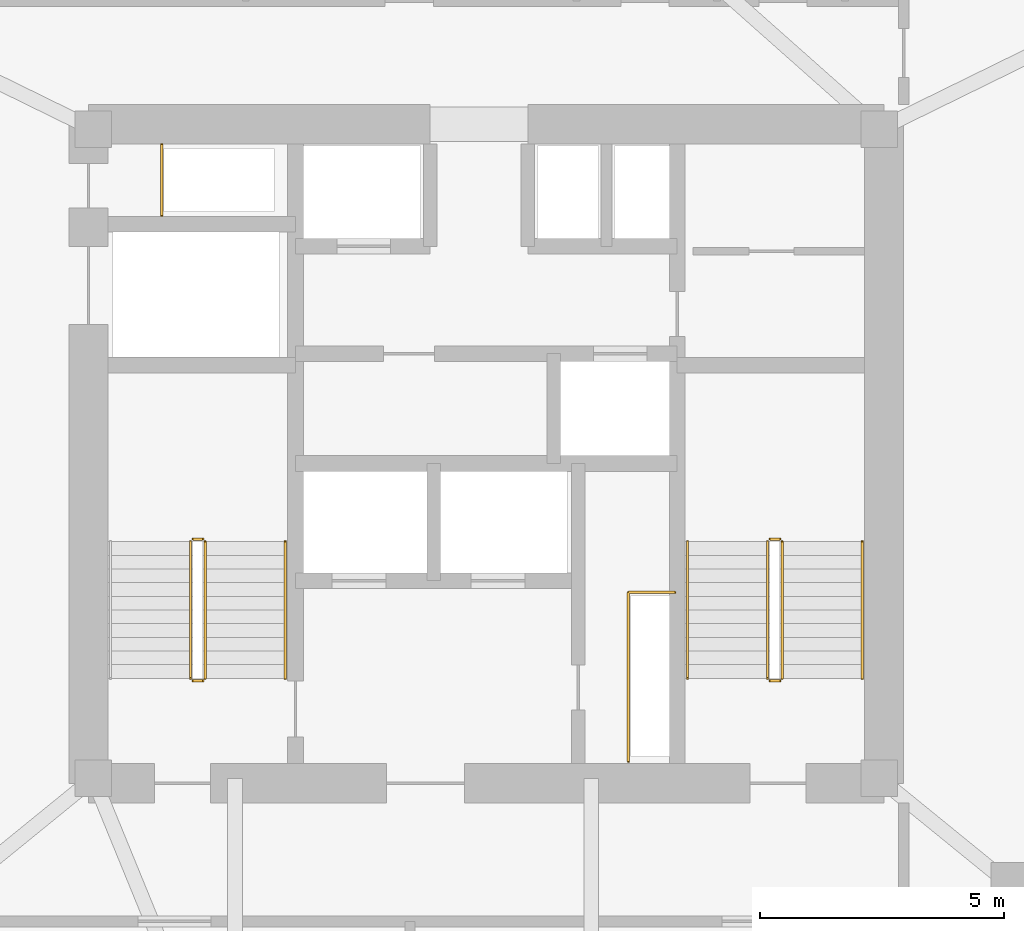
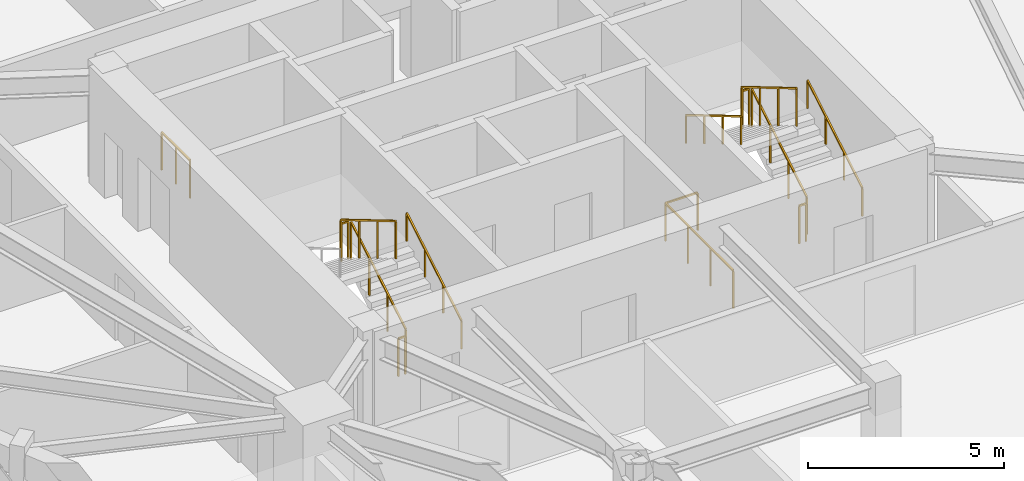
# One storey, part 13 of 13: 13 railings.
"""IFC4 building model written with IfcOpenShell, lengths in metres."""

from ifc_helpers import new_model, si_unit, direction, frame, origin, origin_2d, place, context, subcontext, project, spatial, rectangle, extrude, material, type_object, element, save


model = new_model("IFC4")

# Units and contexts
model_context = context("Model", 3, precision=1e-05, world=origin(), true_north=direction((0.0, 1.0)))
body_context = subcontext(model_context, "Body", "Model", "MODEL_VIEW")
ifc_project = project(units=[si_unit("LENGTHUNIT", "METRE"), si_unit("AREAUNIT", "SQUARE_METRE"), si_unit("VOLUMEUNIT", "CUBIC_METRE"), si_unit("PLANEANGLEUNIT", "RADIAN"), si_unit("MASSUNIT", "GRAM", prefix="KILO")], contexts=[model_context])

# Site, building, storey
site_placement = place(None, origin())
site = spatial("IfcSite", under=ifc_project, at=site_placement, CompositionType="ELEMENT")
building_placement = place(site_placement, origin())
building = spatial("IfcBuilding", under=site, at=building_placement, Name="Talyreon Biosciences Tower", CompositionType="ELEMENT")
storey_placement = place(building_placement, frame((0.0, 0.0, 145.449951171875)))
storey = spatial("IfcBuildingStorey", under=building, at=storey_placement, Name="L38", CompositionType="ELEMENT", Elevation=145.449951171875)

# Railings
ifc_material_1 = material(Name="Brushed stainless-steel tubular handrail", Category="steel")
railing_type_1 = type_object("IfcRailingType", Name="StairWallHandrail_900", PredefinedType="HANDRAIL", material=ifc_material_1)
for number, where, name in (
    (1, (61.8798828125, 63.39990234375, 0.166015625), "L38 ST-1 stair handrail 1"),
    (2, (73.699951171875, 63.39990234375, 0.166015625), "L38 ST-2 stair handrail 1"),
):
    element("IfcRailing", number, at=place(storey_placement, frame(where)), inside=storey, type_object=railing_type_1, Name=name, PredefinedType="HANDRAIL", context=body_context, shape_type="SweptSolid", body=[
        extrude(rectangle(XDim=0.048095703125, YDim=0.048095703125, at=origin_2d()), frame((0.0, 0.0, 0.8759765625), z_axis=(0.0, 0.860339051648, 0.50972219513), x_axis=(-1.0, 0.0, 0.0)), (0.0, 0.0, 1.0), 3.254638671875),
        extrude(rectangle(XDim=0.0419921875, YDim=0.0419921875, at=origin_2d()), origin(), (0.0, 0.0, 1.0), 0.851806640625),
        extrude(rectangle(XDim=0.0419921875, YDim=0.0419921875, at=origin_2d()), frame((0.0, 0.933349609375, 0.552978515625)), (0.0, 0.0, 1.0), 0.851806640625),
        extrude(rectangle(XDim=0.0419921875, YDim=0.0419921875, at=origin_2d()), frame((0.0, 1.86669921875, 1.10595703125)), (0.0, 0.0, 1.0), 0.851806640625),
        extrude(rectangle(XDim=0.0419921875, YDim=0.0419921875, at=origin_2d()), frame((0.0, 2.800048828125, 1.658935546875)), (0.0, 0.0, 1.0), 0.851806640625),
    ])
railing_1_placement = place(storey_placement, frame((70.1201171875, 66.199951171875, 1.990966796875)))
element("IfcRailing", 3, at=railing_1_placement, inside=storey, type_object=railing_type_1, Name="L38 ST-2 stair handrail 2", PredefinedType="HANDRAIL", context=body_context, shape_type="SweptSolid", body=[
    extrude(rectangle(XDim=0.048095703125, YDim=0.048095703125, at=origin_2d()), frame((0.0, 0.0, 0.8759765625), z_axis=(0.0, -0.860306154799, 0.50977771628), x_axis=(1.0, 0.0, 0.0)), (0.0, 0.0, 1.0), 3.254638671875),
    extrude(rectangle(XDim=0.0419921875, YDim=0.0419921875, at=origin_2d()), origin(), (0.0, 0.0, 1.0), 0.851806640625),
    extrude(rectangle(XDim=0.0419921875, YDim=0.0419921875, at=origin_2d()), frame((0.0, -0.933349609375, 0.552978515625)), (0.0, 0.0, 1.0), 0.851806640625),
    extrude(rectangle(XDim=0.0419921875, YDim=0.0419921875, at=origin_2d()), frame((0.0, -1.86669921875, 1.106201171875)), (0.0, 0.0, 1.0), 0.851806640625),
    extrude(rectangle(XDim=0.0419921875, YDim=0.0419921875, at=origin_2d()), frame((0.0, -2.800048828125, 1.6591796875)), (0.0, 0.0, 1.0), 0.851806640625),
])
ifc_material_2 = material(Name="Painted galvanised steel post-and-rail balustrade", Category="steel")
railing_type_2 = type_object("IfcRailingType", Name="TerraceStairGuard_1200", PredefinedType="GUARDRAIL", material=ifc_material_2)
railing_2_placement = place(storey_placement, frame((60.239990234375, 63.39990234375, 0.166015625)))
element("IfcRailing", 4, at=railing_2_placement, inside=storey, type_object=railing_type_2, Name="L38 ST-1 stair guard 1", PredefinedType="GUARDRAIL", context=body_context, shape_type="SweptSolid", body=[
    extrude(rectangle(XDim=0.048095703125, YDim=0.048095703125, at=origin_2d()), frame((0.0, 0.0, 1.17578125), z_axis=(0.0, 0.860339051648, 0.50972219513), x_axis=(-1.0, 0.0, 0.0)), (0.0, 0.0, 1.0), 3.254638671875),
    extrude(rectangle(XDim=0.0419921875, YDim=0.0419921875, at=origin_2d()), origin(), (0.0, 0.0, 1.0), 1.15185546875),
    extrude(rectangle(XDim=0.0419921875, YDim=0.0419921875, at=origin_2d()), frame((0.0, 0.933349609375, 0.552978515625)), (0.0, 0.0, 1.0), 1.15185546875),
    extrude(rectangle(XDim=0.0419921875, YDim=0.0419921875, at=origin_2d()), frame((0.0, 1.86669921875, 1.10595703125)), (0.0, 0.0, 1.0), 1.15185546875),
    extrude(rectangle(XDim=0.0419921875, YDim=0.0419921875, at=origin_2d()), frame((0.0, 2.800048828125, 1.658935546875)), (0.0, 0.0, 1.0), 1.15185546875),
])
railing_3_placement = place(storey_placement, frame((60.18994140625, 66.25, 1.824951171875)))
element("IfcRailing", 5, at=railing_3_placement, inside=storey, type_object=railing_type_2, Name="L38 ST-1 stair guard 2", PredefinedType="GUARDRAIL", context=body_context, shape_type="SweptSolid", body=[
    extrude(rectangle(XDim=0.048095703125, YDim=0.048095703125, at=origin_2d()), frame((0.0, 0.0, 1.17578125), z_axis=(-1.0, 0.0, 0.0), x_axis=(0.0, -1.0, 0.0)), (0.0, 0.0, 1.0), 0.199951171875),
    extrude(rectangle(XDim=0.0419921875, YDim=0.0419921875, at=origin_2d()), origin(), (0.0, 0.0, 1.0), 1.15185546875),
    extrude(rectangle(XDim=0.0419921875, YDim=0.0419921875, at=origin_2d()), frame((-0.199951171875, 0.0, 0.0)), (0.0, 0.0, 1.0), 1.15185546875),
])
railing_4_placement = place(storey_placement, frame((59.93994140625, 66.199951171875, 1.990966796875)))
element("IfcRailing", 6, at=railing_4_placement, inside=storey, type_object=railing_type_2, Name="L38 ST-1 stair guard 3", PredefinedType="GUARDRAIL", context=body_context, shape_type="SweptSolid", body=[
    extrude(rectangle(XDim=0.048095703125, YDim=0.048095703125, at=origin_2d()), frame((0.0, 0.0, 1.17578125), z_axis=(0.0, -0.860306154799, 0.50977771628), x_axis=(1.0, 0.0, 0.0)), (0.0, 0.0, 1.0), 3.254638671875),
    extrude(rectangle(XDim=0.0419921875, YDim=0.0419921875, at=origin_2d()), origin(), (0.0, 0.0, 1.0), 1.15185546875),
    extrude(rectangle(XDim=0.0419921875, YDim=0.0419921875, at=origin_2d()), frame((0.0, -0.933349609375, 0.552978515625)), (0.0, 0.0, 1.0), 1.15185546875),
    extrude(rectangle(XDim=0.0419921875, YDim=0.0419921875, at=origin_2d()), frame((0.0, -1.86669921875, 1.106201171875)), (0.0, 0.0, 1.0), 1.15185546875),
    extrude(rectangle(XDim=0.0419921875, YDim=0.0419921875, at=origin_2d()), frame((0.0, -2.800048828125, 1.6591796875)), (0.0, 0.0, 1.0), 1.15185546875),
])
railing_5_placement = place(storey_placement, frame((60.18994140625, 63.35009765625, 0.0)))
element("IfcRailing", 7, at=railing_5_placement, inside=storey, type_object=railing_type_2, Name="L38 ST-1 stair guard 4", PredefinedType="GUARDRAIL", context=body_context, shape_type="SweptSolid", body=[
    extrude(rectangle(XDim=0.048095703125, YDim=0.048095703125, at=origin_2d()), frame((0.0, 0.0, 1.17578125), z_axis=(-1.0, 0.0, 0.0), x_axis=(0.0, -1.0, 0.0)), (0.0, 0.0, 1.0), 0.199951171875),
    extrude(rectangle(XDim=0.0419921875, YDim=0.0419921875, at=origin_2d()), origin(), (0.0, 0.0, 1.0), 1.15185546875),
    extrude(rectangle(XDim=0.0419921875, YDim=0.0419921875, at=origin_2d()), frame((-0.199951171875, 0.0, 0.0)), (0.0, 0.0, 1.0), 1.15185546875),
])
railing_6_placement = place(storey_placement, frame((72.06005859375, 63.39990234375, 0.166015625)))
element("IfcRailing", 8, at=railing_6_placement, inside=storey, type_object=railing_type_2, Name="L38 ST-2 stair guard 1", PredefinedType="GUARDRAIL", context=body_context, shape_type="SweptSolid", body=[
    extrude(rectangle(XDim=0.048095703125, YDim=0.048095703125, at=origin_2d()), frame((0.0, 0.0, 1.17578125), z_axis=(0.0, 0.860339051648, 0.50972219513), x_axis=(-1.0, 0.0, 0.0)), (0.0, 0.0, 1.0), 3.254638671875),
    extrude(rectangle(XDim=0.0419921875, YDim=0.0419921875, at=origin_2d()), origin(), (0.0, 0.0, 1.0), 1.15185546875),
    extrude(rectangle(XDim=0.0419921875, YDim=0.0419921875, at=origin_2d()), frame((0.0, 0.933349609375, 0.552978515625)), (0.0, 0.0, 1.0), 1.15185546875),
    extrude(rectangle(XDim=0.0419921875, YDim=0.0419921875, at=origin_2d()), frame((0.0, 1.86669921875, 1.10595703125)), (0.0, 0.0, 1.0), 1.15185546875),
    extrude(rectangle(XDim=0.0419921875, YDim=0.0419921875, at=origin_2d()), frame((0.0, 2.800048828125, 1.658935546875)), (0.0, 0.0, 1.0), 1.15185546875),
])
railing_7_placement = place(storey_placement, frame((72.010009765625, 66.25, 1.824951171875)))
element("IfcRailing", 9, at=railing_7_placement, inside=storey, type_object=railing_type_2, Name="L38 ST-2 stair guard 2", PredefinedType="GUARDRAIL", context=body_context, shape_type="SweptSolid", body=[
    extrude(rectangle(XDim=0.048095703125, YDim=0.048095703125, at=origin_2d()), frame((0.0, 0.0, 1.17578125), z_axis=(-1.0, 0.0, 0.0), x_axis=(0.0, -1.0, 0.0)), (0.0, 0.0, 1.0), 0.199951171875),
    extrude(rectangle(XDim=0.0419921875, YDim=0.0419921875, at=origin_2d()), origin(), (0.0, 0.0, 1.0), 1.15185546875),
    extrude(rectangle(XDim=0.0419921875, YDim=0.0419921875, at=origin_2d()), frame((-0.199951171875, 0.0, 0.0)), (0.0, 0.0, 1.0), 1.15185546875),
])
railing_8_placement = place(storey_placement, frame((71.760009765625, 66.199951171875, 1.990966796875)))
element("IfcRailing", 10, at=railing_8_placement, inside=storey, type_object=railing_type_2, Name="L38 ST-2 stair guard 3", PredefinedType="GUARDRAIL", context=body_context, shape_type="SweptSolid", body=[
    extrude(rectangle(XDim=0.048095703125, YDim=0.048095703125, at=origin_2d()), frame((0.0, 0.0, 1.17578125), z_axis=(0.0, -0.860306154799, 0.50977771628), x_axis=(1.0, 0.0, 0.0)), (0.0, 0.0, 1.0), 3.254638671875),
    extrude(rectangle(XDim=0.0419921875, YDim=0.0419921875, at=origin_2d()), origin(), (0.0, 0.0, 1.0), 1.15185546875),
    extrude(rectangle(XDim=0.0419921875, YDim=0.0419921875, at=origin_2d()), frame((0.0, -0.933349609375, 0.552978515625)), (0.0, 0.0, 1.0), 1.15185546875),
    extrude(rectangle(XDim=0.0419921875, YDim=0.0419921875, at=origin_2d()), frame((0.0, -1.86669921875, 1.106201171875)), (0.0, 0.0, 1.0), 1.15185546875),
    extrude(rectangle(XDim=0.0419921875, YDim=0.0419921875, at=origin_2d()), frame((0.0, -2.800048828125, 1.6591796875)), (0.0, 0.0, 1.0), 1.15185546875),
])
railing_9_placement = place(storey_placement, frame((72.010009765625, 63.35009765625, 0.0)))
element("IfcRailing", 11, at=railing_9_placement, inside=storey, type_object=railing_type_2, Name="L38 ST-2 stair guard 4", PredefinedType="GUARDRAIL", context=body_context, shape_type="SweptSolid", body=[
    extrude(rectangle(XDim=0.048095703125, YDim=0.048095703125, at=origin_2d()), frame((0.0, 0.0, 1.17578125), z_axis=(-1.0, 0.0, 0.0), x_axis=(0.0, -1.0, 0.0)), (0.0, 0.0, 1.0), 0.199951171875),
    extrude(rectangle(XDim=0.0419921875, YDim=0.0419921875, at=origin_2d()), origin(), (0.0, 0.0, 1.0), 1.15185546875),
    extrude(rectangle(XDim=0.0419921875, YDim=0.0419921875, at=origin_2d()), frame((-0.199951171875, 0.0, 0.0)), (0.0, 0.0, 1.0), 1.15185546875),
])
railing_10_placement = place(storey_placement, frame((59.35009765625, 72.8798828125, 0.0)))
element("IfcRailing", 12, at=railing_10_placement, inside=storey, type_object=railing_type_2, Name="L38 Exhaust Riser Maintenance Guardrail", PredefinedType="GUARDRAIL", context=body_context, shape_type="SweptSolid", body=[
    extrude(rectangle(XDim=0.048095703125, YDim=0.048095703125, at=origin_2d()), frame((0.0, 0.0, 1.17578125), z_axis=(0.0, 1.0, 0.0), x_axis=(-1.0, 0.0, 0.0)), (0.0, 0.0, 1.0), 1.4501953125),
    extrude(rectangle(XDim=0.0419921875, YDim=0.0419921875, at=origin_2d()), origin(), (0.0, 0.0, 1.0), 1.15185546875),
    extrude(rectangle(XDim=0.0419921875, YDim=0.0419921875, at=origin_2d()), frame((0.0, 0.72509765625, 0.0)), (0.0, 0.0, 1.0), 1.15185546875),
    extrude(rectangle(XDim=0.0419921875, YDim=0.0419921875, at=origin_2d()), frame((0.0, 1.4501953125, 0.0)), (0.0, 0.0, 1.0), 1.15185546875),
])
railing_11_placement = place(storey_placement, frame((68.909912109375, 61.699951171875, 0.0)))
element("IfcRailing", 13, at=railing_11_placement, inside=storey, type_object=railing_type_2, Name="L38 Electrical Riser Maintenance Guardrail", PredefinedType="GUARDRAIL", context=body_context, shape_type="SweptSolid", body=[
    extrude(rectangle(XDim=0.048095703125, YDim=0.048095703125, at=origin_2d()), frame((0.0, 0.0, 1.17578125), z_axis=(0.0, 1.0, 0.0), x_axis=(-1.0, 0.0, 0.0)), (0.0, 0.0, 1.0), 3.4599609375),
    extrude(rectangle(XDim=0.048095703125, YDim=0.048095703125, at=origin_2d()), frame((0.0, 3.4599609375, 1.17578125), z_axis=(1.0, 0.0, 0.0), x_axis=(0.0, 1.0, 0.0)), (0.0, 0.0, 1.0), 0.9501953125),
    extrude(rectangle(XDim=0.0419921875, YDim=0.0419921875, at=origin_2d()), origin(), (0.0, 0.0, 1.0), 1.15185546875),
    extrude(rectangle(XDim=0.0419921875, YDim=0.0419921875, at=origin_2d()), frame((0.0, 1.1533203125, 0.0)), (0.0, 0.0, 1.0), 1.15185546875),
    extrude(rectangle(XDim=0.0419921875, YDim=0.0419921875, at=origin_2d()), frame((0.0, 2.306640625, 0.0)), (0.0, 0.0, 1.0), 1.15185546875),
    extrude(rectangle(XDim=0.0419921875, YDim=0.0419921875, at=origin_2d()), frame((0.0, 3.4599609375, 0.0)), (0.0, 0.0, 1.0), 1.15185546875),
    extrude(rectangle(XDim=0.0419921875, YDim=0.0419921875, at=origin_2d()), frame((0.9501953125, 3.4599609375, 0.0)), (0.0, 0.0, 1.0), 1.15185546875),
])

save(model, "model.ifc")
